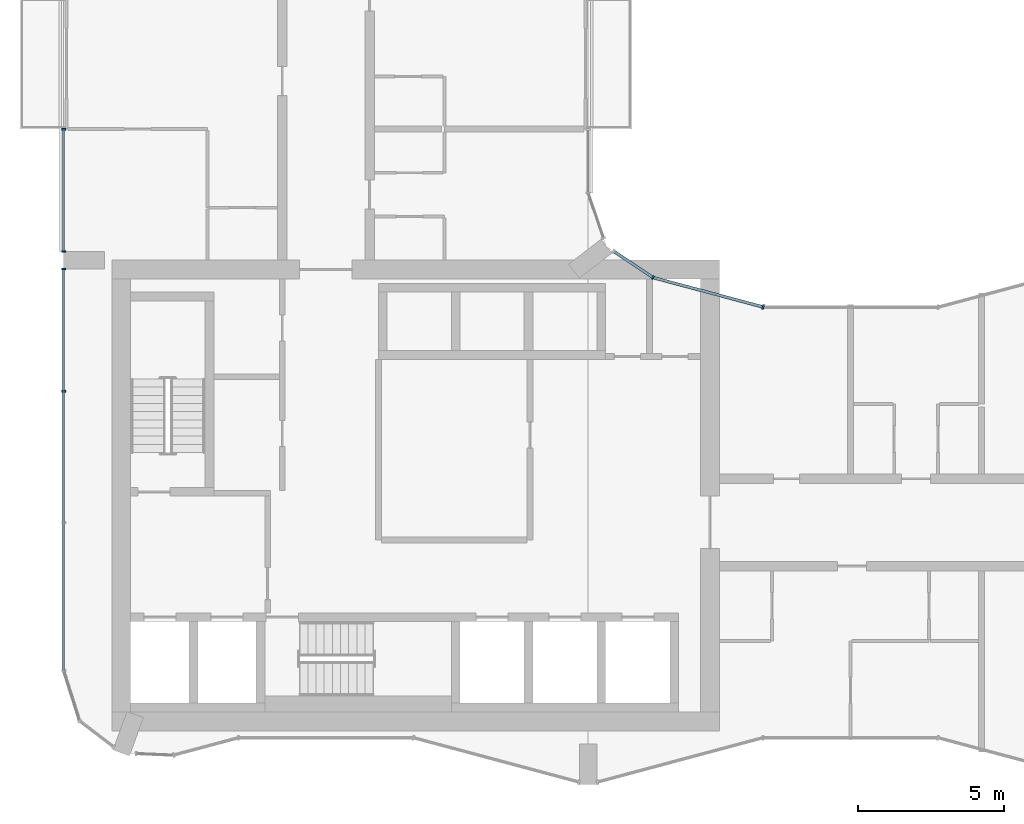
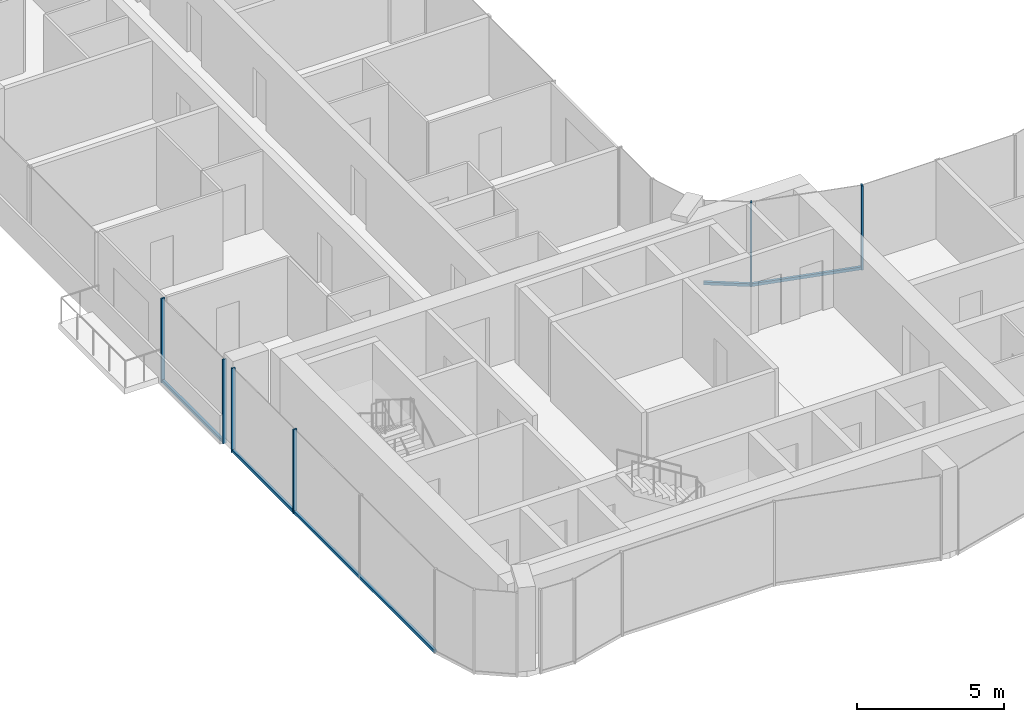
# One storey, part 3 of 22: 10 members, 4 elements without a shape of their own.
"""IFC4 building model written with IfcOpenShell, lengths in metres."""

from ifc_helpers import new_model, si_unit, direction, frame, origin, origin_2d, place, context, subcontext, project, spatial, rectangle, extrude, material, layer, layer_set, material_profile, profile_set, type_object, element, aggregate, save


model = new_model("IFC4")

# Units and contexts
model_context = context("Model", 3, precision=1e-05, world=origin(), true_north=direction((0.0, 1.0)))
body_context = subcontext(model_context, "Body", "Model", "MODEL_VIEW")
ifc_project = project(units=[si_unit("LENGTHUNIT", "METRE"), si_unit("AREAUNIT", "SQUARE_METRE"), si_unit("VOLUMEUNIT", "CUBIC_METRE"), si_unit("PLANEANGLEUNIT", "RADIAN"), si_unit("MASSUNIT", "GRAM", prefix="KILO")], contexts=[model_context])

# Site, building, storey
site_placement = place(None, origin())
site = spatial("IfcSite", under=ifc_project, at=site_placement, CompositionType="ELEMENT")
building_placement = place(site_placement, origin())
building = spatial("IfcBuilding", under=site, at=building_placement, Name="Plateau Cross Towers", CompositionType="ELEMENT")
storey_placement = place(building_placement, frame((0.0, 0.0, 113.300048828125)))
storey = spatial("IfcBuildingStorey", under=building, at=storey_placement, Name="L29", CompositionType="ELEMENT", Elevation=113.300048828125)

# Curtain wall, member
ifc_material_1 = material(Name="Dark low-iron glass", Category="glass")
ifc_layer_1 = layer(ifc_material_1, 0.239990234375)
ifc_layer_set_1 = layer_set([ifc_layer_1], Name="Dark low-iron glass")
curtain_wall_type_1 = type_object("IfcCurtainWallType", Name="Curtain wall flush unitised CW-B", PredefinedType="NOTDEFINED", material=ifc_layer_set_1)
curtain_wall_1_placement = place(storey_placement, origin())
curtain_wall_1 = element("IfcCurtainWall", 1, at=curtain_wall_1_placement, inside=storey, type_object=curtain_wall_type_1, Name="ENV/A/L29/A202_174", PredefinedType="NOTDEFINED")
ifc_material_2 = material(Name="Black anodised aluminium", Category="aluminium")
ifc_material_profile_1 = material_profile(ifc_material_2, rectangle(XDim=0.06005859375, YDim=0.139892578125, at=origin_2d()), Name="MULLION 60x140")
ifc_profile_set_1 = profile_set([ifc_material_profile_1], Name="Black anodised aluminium")
member_type_1 = type_object("IfcMemberType", Name="Mullion 60x140 flush unitised", PredefinedType="MULLION", material=ifc_profile_set_1)
member_1_placement = place(storey_placement, frame((20.223876953125, 17.404296875, -0.25), z_axis=(0.0, 0.0, 1.0), x_axis=(-0.831521253329, 0.555492938984, 0.0)))
member_1 = element("IfcMember", 2, at=member_1_placement, type_object=member_type_1, Name="CW-B mullion 1", PredefinedType="MULLION", context=body_context, shape_type="SweptSolid", body=[
    extrude(rectangle(XDim=0.06005859375, YDim=0.139892578125, at=origin_2d()), origin(), (0.0, 0.0, 1.0), 3.5),
])

# Curtain wall, members
curtain_wall_2_placement = place(storey_placement, origin())
curtain_wall_2 = element("IfcCurtainWall", 3, at=curtain_wall_2_placement, inside=storey, type_object=curtain_wall_type_1, Name="ENV/A/L29/A0_225", PredefinedType="NOTDEFINED")
member_2_placement = place(storey_placement, frame((0.0, 22.489990234375, -0.25), z_axis=(0.0, 0.0, 1.0), x_axis=(0.0, -1.0, 0.0)))
member_2 = element("IfcMember", 4, at=member_2_placement, type_object=member_type_1, Name="CW-B mullion 1", PredefinedType="MULLION", context=body_context, shape_type="SweptSolid", body=[
    extrude(rectangle(XDim=0.06005859375, YDim=0.139892578125, at=origin_2d()), origin(), (0.0, 0.0, 1.0), 3.5),
])
member_3_placement = place(storey_placement, frame((0.0, 18.300048828125, -0.25), z_axis=(0.0, 0.0, 1.0), x_axis=(0.0, -1.0, 0.0)))
member_3 = element("IfcMember", 5, at=member_3_placement, type_object=member_type_1, Name="CW-B mullion 2", PredefinedType="MULLION", context=body_context, shape_type="SweptSolid", body=[
    extrude(rectangle(XDim=0.06005859375, YDim=0.139892578125, at=origin_2d()), origin(), (0.0, 0.0, 1.0), 3.5),
])

curtain_wall_3_placement = place(storey_placement, origin())
curtain_wall_3 = element("IfcCurtainWall", 6, at=curtain_wall_3_placement, inside=storey, type_object=curtain_wall_type_1, Name="ENV/A/L29/A0_177", PredefinedType="NOTDEFINED")
member_4_placement = place(storey_placement, frame((0.0, 17.699951171875, -0.25), z_axis=(0.0, 0.0, 1.0), x_axis=(0.0, -1.0, 0.0)))
member_4 = element("IfcMember", 7, at=member_4_placement, type_object=member_type_1, Name="CW-B mullion 1", PredefinedType="MULLION", context=body_context, shape_type="SweptSolid", body=[
    extrude(rectangle(XDim=0.06005859375, YDim=0.139892578125, at=origin_2d()), origin(), (0.0, 0.0, 1.0), 3.5),
])
member_5_placement = place(storey_placement, frame((0.0, 13.5, -0.25), z_axis=(0.0, 0.0, 1.0), x_axis=(0.0, -1.0, 0.0)))
member_5 = element("IfcMember", 8, at=member_5_placement, type_object=member_type_1, Name="CW-B mullion 2", PredefinedType="MULLION", context=body_context, shape_type="SweptSolid", body=[
    extrude(rectangle(XDim=0.06005859375, YDim=0.139892578125, at=origin_2d()), origin(), (0.0, 0.0, 1.0), 3.5),
])

# Curtain wall, member
ifc_layer_2 = layer(ifc_material_1, 0.260009765625)
ifc_layer_set_2 = layer_set([ifc_layer_2], Name="Dark low-iron glass")
curtain_wall_type_2 = type_object("IfcCurtainWallType", Name="Curtain wall fluted unitised CW-A", PredefinedType="NOTDEFINED", material=ifc_layer_set_2)
curtain_wall_4_placement = place(storey_placement, origin())
curtain_wall_4 = element("IfcCurtainWall", 9, at=curtain_wall_4_placement, inside=storey, type_object=curtain_wall_type_2, Name="ENV/A/L29/A240_164", PredefinedType="NOTDEFINED")
ifc_material_profile_2 = material_profile(ifc_material_2, rectangle(XDim=0.06005859375, YDim=0.159912109375, at=origin_2d()), Name="MULLION 60x160")
ifc_profile_set_2 = profile_set([ifc_material_profile_2], Name="Black anodised aluminium")
member_type_2 = type_object("IfcMemberType", Name="Mullion 60x160 fluted unitised", PredefinedType="MULLION", material=ifc_profile_set_2)
member_6_placement = place(storey_placement, frame((24.0, 16.39306640625, -0.25), z_axis=(0.0, 0.0, 1.0), x_axis=(-0.965957995816, 0.258698956933, 0.0)))
member_6 = element("IfcMember", 10, at=member_6_placement, type_object=member_type_2, Name="CW-A mullion 1", PredefinedType="MULLION", context=body_context, shape_type="SweptSolid", body=[
    extrude(rectangle(XDim=0.06005859375, YDim=0.159912109375, at=origin_2d()), origin(), (0.0, 0.0, 1.0), 3.5),
])

# Member
ifc_material_profile_3 = material_profile(ifc_material_2, rectangle(XDim=0.10009765625, YDim=0.1201171875, at=origin_2d()), Name="TRANSOM 100x120")
ifc_profile_set_3 = profile_set([ifc_material_profile_3], Name="Black anodised aluminium")
member_type_3 = type_object("IfcMemberType", Name="Transom 100x120 flush unitised", PredefinedType="USERDEFINED", material=ifc_profile_set_3)
member_7_placement = place(storey_placement, frame((20.223876953125, 17.404296875, -0.18994140625), z_axis=(-0.831496402487, 0.555530136582, 0.0), x_axis=(-0.555530136582, -0.831496402487, 0.0)))
member_7 = element("IfcMember", 11, at=member_7_placement, type_object=member_type_3, Name="CW-B transom", ObjectType="TRANSOM", PredefinedType="USERDEFINED", context=body_context, shape_type="SweptSolid", body=[
    extrude(rectangle(XDim=0.10009765625, YDim=0.1201171875, at=origin_2d()), origin(), (0.0, 0.0, 1.0), 1.628662109375),
])

aggregate(curtain_wall_1, [member_1, member_7])

member_8_placement = place(storey_placement, frame((0.0, 22.489990234375, -0.18994140625), z_axis=(0.0, -1.0, 0.0), x_axis=(1.0, 0.0, 0.0)))
member_8 = element("IfcMember", 12, at=member_8_placement, type_object=member_type_3, Name="CW-B transom", ObjectType="TRANSOM", PredefinedType="USERDEFINED", context=body_context, shape_type="SweptSolid", body=[
    extrude(rectangle(XDim=0.10009765625, YDim=0.1201171875, at=origin_2d()), origin(), (0.0, 0.0, 1.0), 4.18994140625),
])

aggregate(curtain_wall_2, [member_2, member_3, member_8])

member_9_placement = place(storey_placement, frame((0.0, 17.699951171875, -0.18994140625), z_axis=(0.0, -1.0, 0.0), x_axis=(1.0, 0.0, 0.0)))
member_9 = element("IfcMember", 13, at=member_9_placement, type_object=member_type_3, Name="CW-B transom", ObjectType="TRANSOM", PredefinedType="USERDEFINED", context=body_context, shape_type="SweptSolid", body=[
    extrude(rectangle(XDim=0.10009765625, YDim=0.1201171875, at=origin_2d()), origin(), (0.0, 0.0, 1.0), 13.790771484375),
])

aggregate(curtain_wall_3, [member_4, member_5, member_9])

ifc_material_profile_4 = material_profile(ifc_material_2, rectangle(XDim=0.10009765625, YDim=0.1201171875, at=origin_2d()), Name="TRANSOM 100x120")
ifc_profile_set_4 = profile_set([ifc_material_profile_4], Name="Black anodised aluminium")
member_type_4 = type_object("IfcMemberType", Name="Transom 100x120 fluted unitised", PredefinedType="USERDEFINED", material=ifc_profile_set_4)
member_10_placement = place(storey_placement, frame((24.0, 16.39306640625, -0.18994140625), z_axis=(-0.965962822393, 0.25868093427, 0.0), x_axis=(-0.25868093427, -0.965962822393, 0.0)))
member_10 = element("IfcMember", 14, at=member_10_placement, type_object=member_type_4, Name="CW-A transom", ObjectType="TRANSOM", PredefinedType="USERDEFINED", context=body_context, shape_type="SweptSolid", body=[
    extrude(rectangle(XDim=0.10009765625, YDim=0.1201171875, at=origin_2d()), origin(), (0.0, 0.0, 1.0), 3.9091796875),
])

aggregate(curtain_wall_4, [member_6, member_10])

save(model, "model.ifc")
